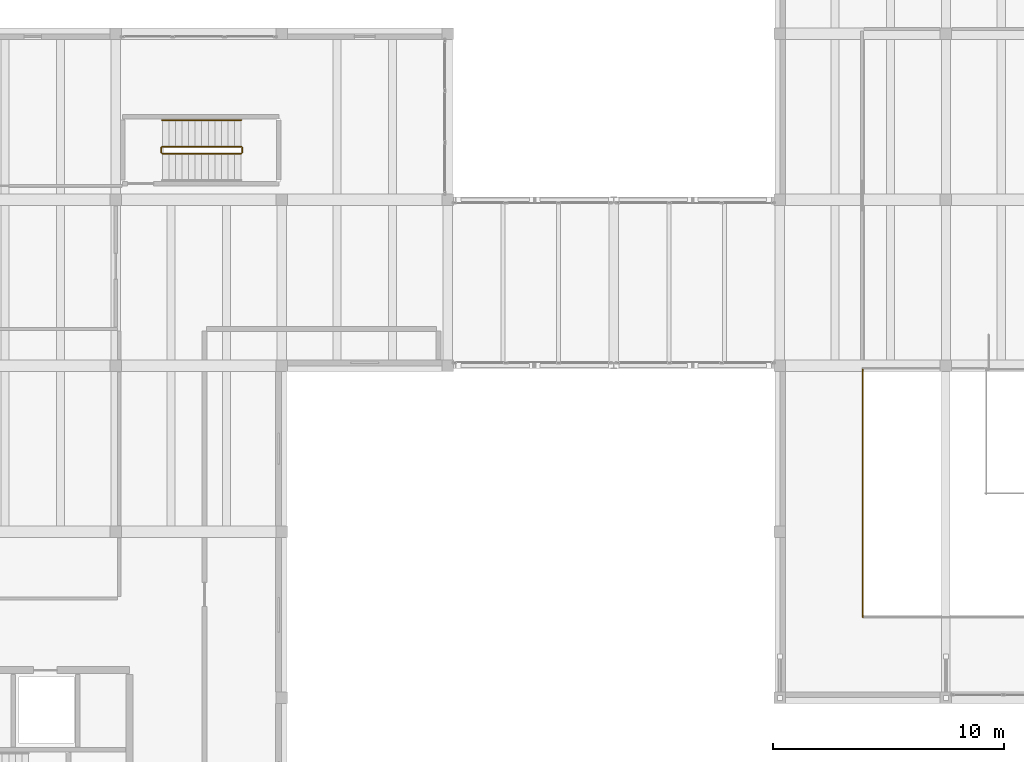
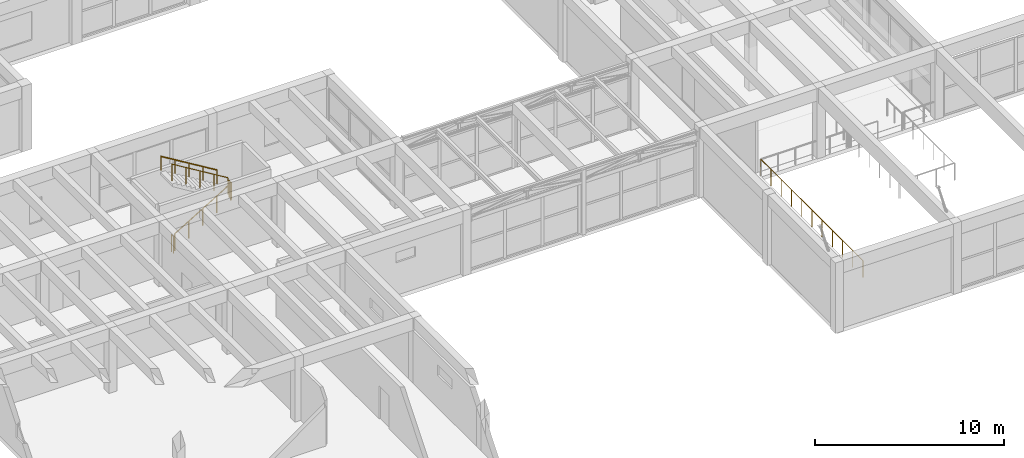
# One storey, part 146 of 153: 6 railings.
"""IFC4 building model written with IfcOpenShell, lengths in metres."""

from ifc_helpers import new_model, si_unit, direction, frame, origin, origin_2d, place, context, subcontext, project, spatial, circle, extrude, material, type_object, element, save


model = new_model("IFC4")

# Units and contexts
model_context = context("Model", 3, precision=1e-05, world=origin(), true_north=direction((0.0, 1.0)))
body_context = subcontext(model_context, "Body", "Model", "MODEL_VIEW")
ifc_project = project(units=[si_unit("LENGTHUNIT", "METRE"), si_unit("AREAUNIT", "SQUARE_METRE"), si_unit("VOLUMEUNIT", "CUBIC_METRE"), si_unit("PLANEANGLEUNIT", "RADIAN"), si_unit("MASSUNIT", "GRAM", prefix="KILO")], contexts=[model_context])

# Site, building, storey
site_placement = place(None, origin())
site = spatial("IfcSite", under=ifc_project, at=site_placement, CompositionType="ELEMENT")
building_placement = place(site_placement, origin())
building = spatial("IfcBuilding", under=site, at=building_placement, Name="Bramvelor Terrace Health Centre", CompositionType="ELEMENT")
storey_placement = place(building_placement, frame((0.0, 0.0, 4.800048828125)))
storey = spatial("IfcBuildingStorey", under=building, at=storey_placement, Name="L02", CompositionType="ELEMENT", Elevation=4.800048828125)

# Railings
ifc_material_1 = material(Name="Painted galvanized steel", Category="steel")
railing_type_1 = type_object("IfcRailingType", Name="RLG-GD-1100", PredefinedType="GUARDRAIL", material=ifc_material_1)
railing_1_placement = place(storey_placement, frame((16.419921875, 59.60009765625, 0.173095703125)))
element("IfcRailing", 1, at=railing_1_placement, inside=storey, type_object=railing_type_1, Name="L02 ST-6 stair guard 1", PredefinedType="GUARDRAIL", context=body_context, shape_type="SweptSolid", body=[
    extrude(circle(Radius=0.02392578125, at=origin_2d()), frame((0.0, 0.0, 1.076171875), z_axis=(0.854745945586, 0.0, 0.519046595696), x_axis=(0.0, 1.0, 0.0)), (0.0, 0.0, 1.0), 4.00146484375),
    extrude(circle(Radius=0.02099609375, at=origin_2d()), origin(), (0.0, 0.0, 1.0), 1.052001953125),
    extrude(circle(Radius=0.02099609375, at=origin_2d()), frame((0.85498046875, 0.0, 0.519287109375)), (0.0, 0.0, 1.0), 1.052001953125),
    extrude(circle(Radius=0.02099609375, at=origin_2d()), frame((1.7099609375, 0.0, 1.03857421875)), (0.0, 0.0, 1.0), 1.052001953125),
    extrude(circle(Radius=0.02099609375, at=origin_2d()), frame((2.565185546875, 0.0, 1.5576171875)), (0.0, 0.0, 1.0), 1.052001953125),
    extrude(circle(Radius=0.02099609375, at=origin_2d()), frame((3.420166015625, 0.0, 2.076904296875)), (0.0, 0.0, 1.0), 1.052001953125),
])
railing_2_placement = place(storey_placement, frame((19.889892578125, 59.64990234375, 2.25)))
element("IfcRailing", 2, at=railing_2_placement, inside=storey, type_object=railing_type_1, Name="L02 ST-6 stair guard 2", PredefinedType="GUARDRAIL", context=body_context, shape_type="SweptSolid", body=[
    extrude(circle(Radius=0.02392578125, at=origin_2d()), frame((0.0, 0.0, 1.076171875), z_axis=(0.0, 1.0, 0.0), x_axis=(-1.0, 0.0, 0.0)), (0.0, 0.0, 1.0), 0.2001953125),
    extrude(circle(Radius=0.02099609375, at=origin_2d()), origin(), (0.0, 0.0, 1.0), 1.052001953125),
    extrude(circle(Radius=0.02099609375, at=origin_2d()), frame((0.0, 0.2001953125, 0.0)), (0.0, 0.0, 1.0), 1.052001953125),
])
railing_3_placement = place(storey_placement, frame((19.840087890625, 59.89990234375, 2.423095703125)))
element("IfcRailing", 3, at=railing_3_placement, inside=storey, type_object=railing_type_1, Name="L02 ST-6 stair guard 3", PredefinedType="GUARDRAIL", context=body_context, shape_type="SweptSolid", body=[
    extrude(circle(Radius=0.02392578125, at=origin_2d()), frame((0.0, 0.0, 1.076171875), z_axis=(-0.854745945586, 0.0, 0.519046595696), x_axis=(0.0, -1.0, 0.0)), (0.0, 0.0, 1.0), 4.00146484375),
    extrude(circle(Radius=0.02099609375, at=origin_2d()), origin(), (0.0, 0.0, 1.0), 1.052001953125),
    extrude(circle(Radius=0.02099609375, at=origin_2d()), frame((-0.85498046875, 0.0, 0.519287109375)), (0.0, 0.0, 1.0), 1.052001953125),
    extrude(circle(Radius=0.02099609375, at=origin_2d()), frame((-1.7099609375, 0.0, 1.03857421875)), (0.0, 0.0, 1.0), 1.052001953125),
    extrude(circle(Radius=0.02099609375, at=origin_2d()), frame((-2.565185546875, 0.0, 1.5576171875)), (0.0, 0.0, 1.0), 1.052001953125),
    extrude(circle(Radius=0.02099609375, at=origin_2d()), frame((-3.420166015625, 0.0, 2.076904296875)), (0.0, 0.0, 1.0), 1.052001953125),
])
railing_4_placement = place(storey_placement, frame((16.3701171875, 59.64990234375, 0.0)))
element("IfcRailing", 4, at=railing_4_placement, inside=storey, type_object=railing_type_1, Name="L02 ST-6 stair guard 4", PredefinedType="GUARDRAIL", context=body_context, shape_type="SweptSolid", body=[
    extrude(circle(Radius=0.02392578125, at=origin_2d()), frame((0.0, 0.0, 1.076171875), z_axis=(0.0, 1.0, 0.0), x_axis=(-1.0, 0.0, 0.0)), (0.0, 0.0, 1.0), 0.2001953125),
    extrude(circle(Radius=0.02099609375, at=origin_2d()), origin(), (0.0, 0.0, 1.0), 1.052001953125),
    extrude(circle(Radius=0.02099609375, at=origin_2d()), frame((0.0, 0.2001953125, 0.0)), (0.0, 0.0, 1.0), 1.052001953125),
])
railing_5_placement = place(storey_placement, frame((46.800048828125, 39.5, 0.0)))
element("IfcRailing", 5, at=railing_5_placement, inside=storey, type_object=railing_type_1, Name="L02 Waiting Hall Void Guardrail 5", PredefinedType="GUARDRAIL", context=body_context, shape_type="SweptSolid", body=[
    extrude(circle(Radius=0.02392578125, at=origin_2d()), frame((0.0, 0.0, 1.076171875), z_axis=(0.0, 1.0, 0.0), x_axis=(-1.0, 0.0, 0.0)), (0.0, 0.0, 1.0), 10.800048828125),
    extrude(circle(Radius=0.02099609375, at=origin_2d()), origin(), (0.0, 0.0, 1.0), 1.052001953125),
    extrude(circle(Radius=0.02099609375, at=origin_2d()), frame((0.0, 1.080078125, 0.0)), (0.0, 0.0, 1.0), 1.052001953125),
    extrude(circle(Radius=0.02099609375, at=origin_2d()), frame((0.0, 2.159912109375, 0.0)), (0.0, 0.0, 1.0), 1.052001953125),
    extrude(circle(Radius=0.02099609375, at=origin_2d()), frame((0.0, 3.239990234375, 0.0)), (0.0, 0.0, 1.0), 1.052001953125),
    extrude(circle(Radius=0.02099609375, at=origin_2d()), frame((0.0, 4.320068359375, 0.0)), (0.0, 0.0, 1.0), 1.052001953125),
    extrude(circle(Radius=0.02099609375, at=origin_2d()), frame((0.0, 5.39990234375, 0.0)), (0.0, 0.0, 1.0), 1.052001953125),
    extrude(circle(Radius=0.02099609375, at=origin_2d()), frame((0.0, 6.47998046875, 0.0)), (0.0, 0.0, 1.0), 1.052001953125),
    extrude(circle(Radius=0.02099609375, at=origin_2d()), frame((0.0, 7.56005859375, 0.0)), (0.0, 0.0, 1.0), 1.052001953125),
    extrude(circle(Radius=0.02099609375, at=origin_2d()), frame((0.0, 8.64013671875, 0.0)), (0.0, 0.0, 1.0), 1.052001953125),
    extrude(circle(Radius=0.02099609375, at=origin_2d()), frame((0.0, 9.719970703125, 0.0)), (0.0, 0.0, 1.0), 1.052001953125),
    extrude(circle(Radius=0.02099609375, at=origin_2d()), frame((0.0, 10.800048828125, 0.0)), (0.0, 0.0, 1.0), 1.052001953125),
])
ifc_material_2 = material(Name="Brushed stainless steel 316", Category="steel")
railing_type_2 = type_object("IfcRailingType", Name="RLG-HR-900", PredefinedType="HANDRAIL", material=ifc_material_2)
railing_6_placement = place(storey_placement, frame((19.840087890625, 61.050048828125, 2.423095703125)))
element("IfcRailing", 6, at=railing_6_placement, inside=storey, type_object=railing_type_2, Name="L02 ST-6 stair handrail 2", PredefinedType="HANDRAIL", context=body_context, shape_type="SweptSolid", body=[
    extrude(circle(Radius=0.02392578125, at=origin_2d()), frame((0.0, 0.0, 0.8759765625), z_axis=(-0.854745945586, 0.0, 0.519046595696), x_axis=(0.0, -1.0, 0.0)), (0.0, 0.0, 1.0), 4.00146484375),
    extrude(circle(Radius=0.02099609375, at=origin_2d()), origin(), (0.0, 0.0, 1.0), 0.851806640625),
    extrude(circle(Radius=0.02099609375, at=origin_2d()), frame((-0.85498046875, 0.0, 0.519287109375)), (0.0, 0.0, 1.0), 0.851806640625),
    extrude(circle(Radius=0.02099609375, at=origin_2d()), frame((-1.7099609375, 0.0, 1.03857421875)), (0.0, 0.0, 1.0), 0.851806640625),
    extrude(circle(Radius=0.02099609375, at=origin_2d()), frame((-2.565185546875, 0.0, 1.5576171875)), (0.0, 0.0, 1.0), 0.851806640625),
    extrude(circle(Radius=0.02099609375, at=origin_2d()), frame((-3.420166015625, 0.0, 2.076904296875)), (0.0, 0.0, 1.0), 0.851806640625),
])

save(model, "model.ifc")
